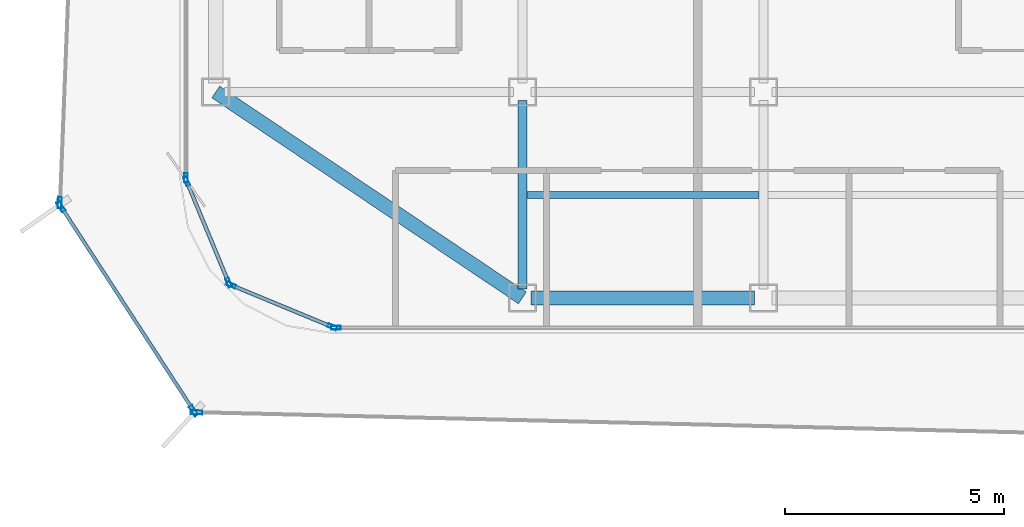
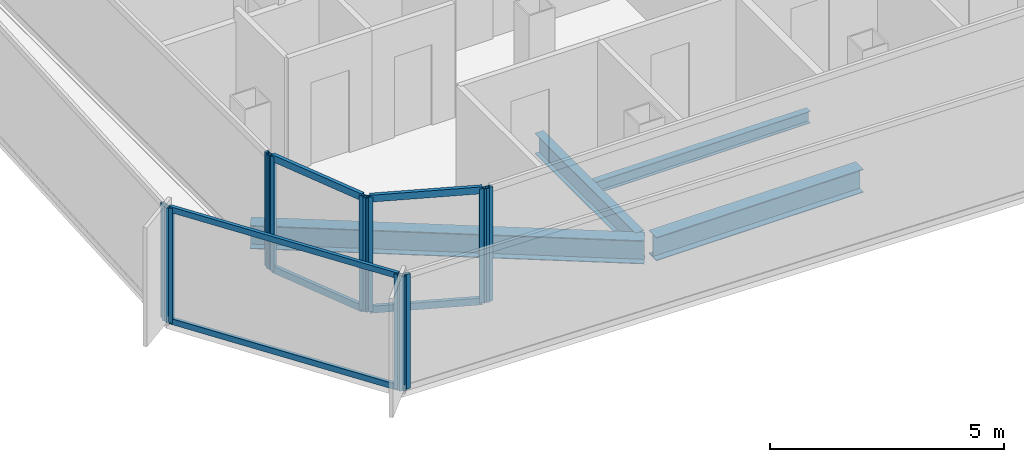
# One storey, part 2 of 15: 16 members, 4 beams, 7 elements without a shape of their own.
"""IFC4 building model written with IfcOpenShell, lengths in metres."""

from ifc_helpers import new_model, si_unit, direction, frame, origin, origin_2d, place, context, subcontext, project, spatial, hollow_rectangle, i_section, extrude, source, transform, mapped, material, layer, layer_set, material_profile, profile_set, type_object, element, aggregate, save


model = new_model("IFC4")

# Units and contexts
model_context = context("Model", 3, precision=1e-05, world=origin(), true_north=direction((0.0, 1.0)))
body_context = subcontext(model_context, "Body", "Model", "MODEL_VIEW")
ifc_project = project(units=[si_unit("LENGTHUNIT", "METRE"), si_unit("AREAUNIT", "SQUARE_METRE"), si_unit("VOLUMEUNIT", "CUBIC_METRE"), si_unit("PLANEANGLEUNIT", "RADIAN"), si_unit("MASSUNIT", "GRAM", prefix="KILO")], contexts=[model_context])

# Site, building, storey
site_placement = place(None, origin())
site = spatial("IfcSite", under=ifc_project, at=site_placement, CompositionType="ELEMENT")
building_placement = place(site_placement, origin())
building = spatial("IfcBuilding", under=site, at=building_placement, Name="Kolveth Station Tower", CompositionType="ELEMENT")
storey_placement = place(building_placement, frame((0.0, 0.0, 252.10009765625)))
storey = spatial("IfcBuildingStorey", under=building, at=storey_placement, Name="L72", CompositionType="ELEMENT", Elevation=252.10009765625)

# Beams
ifc_material_1 = material(Name="Steel S355", Category="steel")
ifc_material_profile_1 = material_profile(ifc_material_1, i_section(OverallWidth=0.323974609375, OverallDepth=0.611083984375, WebThickness=0.0126953125, FlangeThickness=0.01904296875, at=origin_2d()), Name="W610x155")
ifc_profile_set_1 = profile_set([ifc_material_profile_1], Name="Steel S355")
beam_type_1 = type_object("IfcBeamType", Name="Beam_SP2", PredefinedType="SPANDREL", material=ifc_profile_set_1)
shared_shape_1 = source(origin(), body_context, "Body", "SweptSolid", [
    extrude(i_section(OverallWidth=0.323974609375, OverallDepth=0.611083984375, WebThickness=0.0126953125, FlangeThickness=0.01904296875, at=origin_2d()), origin(), (0.0, 0.0, 1.0), 8.431396484375),
])
beam_1_placement = place(storey_placement, frame((6.0, 5.5, -0.525634765625), z_axis=(0.830223811004, -0.557430196206, 0.0), x_axis=(0.557430196206, 0.830223811004, 0.0)))
element("IfcBeam", 1, at=beam_1_placement, inside=storey, type_object=beam_type_1, Name="L72 Corner Edge Girder BM-L72-CNR-SW", PredefinedType="SPANDREL", context=body_context, shape_type="MappedRepresentation", body=[
    mapped(shared_shape_1, transform((0.0, 0.0, 0.0), x_axis=(1.0, 0.0, 0.0), y_axis=(0.0, 1.0, 0.0), z_axis=(0.0, 0.0, 1.0), scale=1.0)),
])
shared_shape_2 = source(origin(), body_context, "Body", "SweptSolid", [
    extrude(i_section(OverallWidth=0.323974609375, OverallDepth=0.611083984375, WebThickness=0.0126953125, FlangeThickness=0.01904296875, at=origin_2d()), origin(), (0.0, 0.0, 1.0), 5.10009765625),
])
beam_2_placement = place(storey_placement, frame((13.199951171875, 0.800048828125, -0.525634765625), z_axis=(1.0, 0.0, 0.0), x_axis=(0.0, 1.0, 0.0)))
element("IfcBeam", 2, at=beam_2_placement, inside=storey, type_object=beam_type_1, Name="L72 Perimeter Spandrel BM-L72-PS-1", PredefinedType="SPANDREL", context=body_context, shape_type="MappedRepresentation", body=[
    mapped(shared_shape_2, transform((0.0, 0.0, 0.0), x_axis=(1.0, 0.0, 0.0), y_axis=(0.0, 1.0, 0.0), z_axis=(0.0, 0.0, 1.0), scale=1.0)),
])
ifc_material_profile_2 = material_profile(ifc_material_1, i_section(OverallWidth=0.2099609375, OverallDepth=0.537109375, WebThickness=0.010986328125, FlangeThickness=0.017333984375, at=origin_2d()), Name="W530x101")
ifc_profile_set_2 = profile_set([ifc_material_profile_2], Name="Steel S355")
beam_type_2 = type_object("IfcBeamType", Name="Beam_B6", PredefinedType="BEAM", material=ifc_profile_set_2)
shared_shape_3 = source(origin(), body_context, "Body", "SweptSolid", [
    extrude(i_section(OverallWidth=0.2099609375, OverallDepth=0.537109375, WebThickness=0.010986328125, FlangeThickness=0.017333984375, at=origin_2d()), origin(), (0.0, 0.0, 1.0), 4.300048828125),
])
beam_3_placement = place(storey_placement, frame((13.0, 1.0, -0.488525390625), z_axis=(0.0, 1.0, 0.0), x_axis=(-1.0, 0.0, 0.0)))
element("IfcBeam", 3, at=beam_3_placement, inside=storey, type_object=beam_type_2, Name="L72 Primary Girder BM-L72-GX130-1", PredefinedType="BEAM", context=body_context, shape_type="MappedRepresentation", body=[
    mapped(shared_shape_3, transform((0.0, 0.0, 0.0), x_axis=(1.0, 0.0, 0.0), y_axis=(0.0, 1.0, 0.0), z_axis=(0.0, 0.0, 1.0), scale=1.0)),
])
ifc_material_profile_3 = material_profile(ifc_material_1, i_section(OverallWidth=0.1650390625, OverallDepth=0.31005859375, WebThickness=0.005859375, FlangeThickness=0.009765625, at=origin_2d()), Name="W310x39")
ifc_profile_set_3 = profile_set([ifc_material_profile_3], Name="Steel S355")
beam_type_3 = type_object("IfcBeamType", Name="Beam_J3", PredefinedType="JOIST", material=ifc_profile_set_3)
shared_shape_4 = source(origin(), body_context, "Body", "SweptSolid", [
    extrude(i_section(OverallWidth=0.1650390625, OverallDepth=0.31005859375, WebThickness=0.005859375, FlangeThickness=0.009765625, at=origin_2d()), origin(), (0.0, 0.0, 1.0), 5.2939453125),
])
beam_4_placement = place(storey_placement, frame((13.10302734375, 3.14990234375, -0.375), z_axis=(1.0, 0.0, 0.0), x_axis=(0.0, 1.0, 0.0)))
element("IfcBeam", 4, at=beam_4_placement, inside=storey, type_object=beam_type_3, Name="L72 Secondary Joist JST-L72-2-1", PredefinedType="JOIST", context=body_context, shape_type="MappedRepresentation", body=[
    mapped(shared_shape_4, transform((0.0, 0.0, 0.0), x_axis=(1.0, 0.0, 0.0), y_axis=(0.0, 1.0, 0.0), z_axis=(0.0, 0.0, 1.0), scale=1.0)),
])

# Curtain wall, member
ifc_material_2 = material(Name="Black anodized aluminium 6063-T6 and dark solar glass", Category="aluminium")
ifc_layer_1 = layer(ifc_material_2, 0.159912109375)
ifc_layer_set_1 = layer_set([ifc_layer_1], Name="Black anodized aluminium 6063-T6 and dark solar glass")
curtain_wall_type_1 = type_object("IfcCurtainWallType", Name="OUTER SKIN CW-OS", PredefinedType="NOTDEFINED", material=ifc_layer_set_1)
curtain_wall_1_placement = place(storey_placement, origin())
curtain_wall_1 = element("IfcCurtainWall", 5, at=curtain_wall_1_placement, inside=storey, type_object=curtain_wall_type_1, Name="L72 Outer Ventilated Skin Curtain Wall 6", PredefinedType="NOTDEFINED")
ifc_material_3 = material(Name="Black anodized aluminium 6063-T6", Category="aluminium")
ifc_material_profile_4 = material_profile(ifc_material_3, hollow_rectangle(XDim=0.090087890625, YDim=0.260009765625, WallThickness=0.0048828125, at=origin_2d()), Name="ALU-90x260x5")
ifc_profile_set_4 = profile_set([ifc_material_profile_4], Name="Black anodized aluminium 6063-T6")
member_type_1 = type_object("IfcMemberType", Name="FIN MULLION ML-OS", PredefinedType="MULLION", material=ifc_profile_set_4)
shared_shape_5 = source(origin(), body_context, "Body", "SweptSolid", [
    extrude(hollow_rectangle(XDim=0.090087890625, YDim=0.260009765625, WallThickness=0.0048828125, at=origin_2d()), origin(), (0.0, 0.0, 1.0), 2.989990234375),
])
member_1_placement = place(storey_placement, frame((2.4404296875, 2.97216796875, 0.0), z_axis=(0.0, 0.0, 1.0), x_axis=(0.999233555729, -0.039144617843, 0.0)))
member_1 = element("IfcMember", 6, at=member_1_placement, type_object=member_type_1, Name="CW-OS mullion 2", PredefinedType="MULLION", context=body_context, shape_type="MappedRepresentation", body=[
    mapped(shared_shape_5, transform((0.0, 0.0, 0.0), x_axis=(1.0, 0.0, 0.0), y_axis=(0.0, 1.0, 0.0), z_axis=(0.0, 0.0, 1.0), scale=1.0)),
])
aggregate(curtain_wall_1, [member_1])

# Curtain wall, members
curtain_wall_2_placement = place(storey_placement, origin())
curtain_wall_2 = element("IfcCurtainWall", 7, at=curtain_wall_2_placement, inside=storey, type_object=curtain_wall_type_1, Name="L72 Outer Ventilated Skin Curtain Wall 7", PredefinedType="NOTDEFINED")
member_2_placement = place(storey_placement, frame((2.463134765625, 2.889404296875, 0.0), z_axis=(0.0, 0.0, 1.0), x_axis=(0.838532934074, 0.544850913988, 0.0)))
member_2 = element("IfcMember", 8, at=member_2_placement, type_object=member_type_1, Name="CW-OS mullion 1", PredefinedType="MULLION", context=body_context, shape_type="MappedRepresentation", body=[
    mapped(shared_shape_5, transform((0.0, 0.0, 0.0), x_axis=(1.0, 0.0, 0.0), y_axis=(0.0, 1.0, 0.0), z_axis=(0.0, 0.0, 1.0), scale=1.0)),
])
member_3_placement = place(storey_placement, frame((5.493896484375, -1.774658203125, 0.0), z_axis=(0.0, 0.0, 1.0), x_axis=(0.838532934074, 0.544850913988, 0.0)))
member_3 = element("IfcMember", 9, at=member_3_placement, type_object=member_type_1, Name="CW-OS mullion 2", PredefinedType="MULLION", context=body_context, shape_type="MappedRepresentation", body=[
    mapped(shared_shape_5, transform((0.0, 0.0, 0.0), x_axis=(1.0, 0.0, 0.0), y_axis=(0.0, 1.0, 0.0), z_axis=(0.0, 0.0, 1.0), scale=1.0)),
])

# Curtain wall, member
curtain_wall_3_placement = place(storey_placement, origin())
curtain_wall_3 = element("IfcCurtainWall", 10, at=curtain_wall_3_placement, inside=storey, type_object=curtain_wall_type_1, Name="L72 Outer Ventilated Skin Curtain Wall 8", PredefinedType="NOTDEFINED")
member_4_placement = place(storey_placement, frame((5.563232421875, -1.813720703125, 0.0), z_axis=(0.0, 0.0, 1.0), x_axis=(0.024461755119, 0.999700766498, 0.0)))
member_4 = element("IfcMember", 11, at=member_4_placement, type_object=member_type_1, Name="CW-OS mullion 1", PredefinedType="MULLION", context=body_context, shape_type="MappedRepresentation", body=[
    mapped(shared_shape_5, transform((0.0, 0.0, 0.0), x_axis=(1.0, 0.0, 0.0), y_axis=(0.0, 1.0, 0.0), z_axis=(0.0, 0.0, 1.0), scale=1.0)),
])
aggregate(curtain_wall_3, [member_4])

ifc_material_4 = material(Name="Aluminium 6063-T6 and triple low-E dark glass", Category="aluminium")
ifc_layer_2 = layer(ifc_material_4, 0.199951171875)
ifc_layer_set_2 = layer_set([ifc_layer_2], Name="Aluminium 6063-T6 and triple low-E dark glass")
curtain_wall_type_2 = type_object("IfcCurtainWallType", Name="CurtainWall_CW-Z3", PredefinedType="NOTDEFINED", material=ifc_layer_set_2)
curtain_wall_4_placement = place(storey_placement, origin())
curtain_wall_4 = element("IfcCurtainWall", 12, at=curtain_wall_4_placement, inside=storey, type_object=curtain_wall_type_2, Name="L72 Inner Thermal Curtain Wall 9", PredefinedType="NOTDEFINED")
ifc_material_profile_5 = material_profile(ifc_material_3, hollow_rectangle(XDim=0.0849609375, YDim=0.215087890625, WallThickness=0.0048828125, at=origin_2d()), Name="ALU-85x215x5")
ifc_profile_set_5 = profile_set([ifc_material_profile_5], Name="Black anodized aluminium 6063-T6")
member_type_2 = type_object("IfcMemberType", Name="Mullion_ML3", PredefinedType="MULLION", material=ifc_profile_set_5)
shared_shape_6 = source(origin(), body_context, "Body", "SweptSolid", [
    extrude(hollow_rectangle(XDim=0.0849609375, YDim=0.215087890625, WallThickness=0.0048828125, at=origin_2d()), origin(), (0.0, 0.0, 1.0), 2.97998046875),
])
member_5_placement = place(storey_placement, frame((5.320068359375, 3.54248046875, 0.0), z_axis=(0.0, 0.0, 1.0), x_axis=(1.0, 0.0, 0.0)))
member_5 = element("IfcMember", 13, at=member_5_placement, type_object=member_type_2, Name="CW-Z3 mullion 2", PredefinedType="MULLION", context=body_context, shape_type="MappedRepresentation", body=[
    mapped(shared_shape_6, transform((0.0, 0.0, 0.0), x_axis=(1.0, 0.0, 0.0), y_axis=(0.0, 1.0, 0.0), z_axis=(0.0, 0.0, 1.0), scale=1.0)),
])
aggregate(curtain_wall_4, [member_5])

# Curtain wall, members
curtain_wall_5_placement = place(storey_placement, origin())
curtain_wall_5 = element("IfcCurtainWall", 14, at=curtain_wall_5_placement, inside=storey, type_object=curtain_wall_type_2, Name="L72 Inner Thermal Curtain Wall 10", PredefinedType="NOTDEFINED")
member_6_placement = place(storey_placement, frame((5.336181640625, 3.460693359375, 0.0), z_axis=(0.0, 0.0, 1.0), x_axis=(0.923875488975, 0.382693194181, 0.0)))
member_6 = element("IfcMember", 15, at=member_6_placement, type_object=member_type_2, Name="CW-Z3 mullion 1", PredefinedType="MULLION", context=body_context, shape_type="MappedRepresentation", body=[
    mapped(shared_shape_6, transform((0.0, 0.0, 0.0), x_axis=(1.0, 0.0, 0.0), y_axis=(0.0, 1.0, 0.0), z_axis=(0.0, 0.0, 1.0), scale=1.0)),
])
member_7_placement = place(storey_placement, frame((6.293701171875, 1.149169921875, 0.0), z_axis=(0.0, 0.0, 1.0), x_axis=(0.923875488975, 0.382693194181, 0.0)))
member_7 = element("IfcMember", 16, at=member_7_placement, type_object=member_type_2, Name="CW-Z3 mullion 2", PredefinedType="MULLION", context=body_context, shape_type="MappedRepresentation", body=[
    mapped(shared_shape_6, transform((0.0, 0.0, 0.0), x_axis=(1.0, 0.0, 0.0), y_axis=(0.0, 1.0, 0.0), z_axis=(0.0, 0.0, 1.0), scale=1.0)),
])

curtain_wall_6_placement = place(storey_placement, origin())
curtain_wall_6 = element("IfcCurtainWall", 17, at=curtain_wall_6_placement, inside=storey, type_object=curtain_wall_type_2, Name="L72 Inner Thermal Curtain Wall 11", PredefinedType="NOTDEFINED")
member_8_placement = place(storey_placement, frame((6.349365234375, 1.09375, 0.0), z_axis=(0.0, 0.0, 1.0), x_axis=(0.382693194181, 0.923875488975, 0.0)))
member_8 = element("IfcMember", 18, at=member_8_placement, type_object=member_type_2, Name="CW-Z3 mullion 1", PredefinedType="MULLION", context=body_context, shape_type="MappedRepresentation", body=[
    mapped(shared_shape_6, transform((0.0, 0.0, 0.0), x_axis=(1.0, 0.0, 0.0), y_axis=(0.0, 1.0, 0.0), z_axis=(0.0, 0.0, 1.0), scale=1.0)),
])
member_9_placement = place(storey_placement, frame((8.66064453125, 0.13623046875, 0.0), z_axis=(0.0, 0.0, 1.0), x_axis=(0.382693194181, 0.923875488975, 0.0)))
member_9 = element("IfcMember", 19, at=member_9_placement, type_object=member_type_2, Name="CW-Z3 mullion 2", PredefinedType="MULLION", context=body_context, shape_type="MappedRepresentation", body=[
    mapped(shared_shape_6, transform((0.0, 0.0, 0.0), x_axis=(1.0, 0.0, 0.0), y_axis=(0.0, 1.0, 0.0), z_axis=(0.0, 0.0, 1.0), scale=1.0)),
])

# Curtain wall, member
curtain_wall_7_placement = place(storey_placement, origin())
curtain_wall_7 = element("IfcCurtainWall", 20, at=curtain_wall_7_placement, inside=storey, type_object=curtain_wall_type_2, Name="L72 Inner Thermal Curtain Wall 12", PredefinedType="NOTDEFINED")
member_10_placement = place(storey_placement, frame((8.742431640625, 0.1201171875, 0.0), z_axis=(0.0, 0.0, 1.0), x_axis=(0.0, 1.0, 0.0)))
member_10 = element("IfcMember", 21, at=member_10_placement, type_object=member_type_2, Name="CW-Z3 mullion 1", PredefinedType="MULLION", context=body_context, shape_type="MappedRepresentation", body=[
    mapped(shared_shape_6, transform((0.0, 0.0, 0.0), x_axis=(1.0, 0.0, 0.0), y_axis=(0.0, 1.0, 0.0), z_axis=(0.0, 0.0, 1.0), scale=1.0)),
])
aggregate(curtain_wall_7, [member_10])

# Member
ifc_material_profile_6 = material_profile(ifc_material_3, hollow_rectangle(XDim=0.0849609375, YDim=0.179931640625, WallThickness=0.0048828125, at=origin_2d()), Name="ALU-85x180x5")
ifc_profile_set_6 = profile_set([ifc_material_profile_6], Name="Black anodized aluminium 6063-T6")
member_type_3 = type_object("IfcMemberType", Name="Transom_TR3", PredefinedType="USERDEFINED", material=ifc_profile_set_6)
shared_shape_7 = source(origin(), body_context, "Body", "SweptSolid", [
    extrude(hollow_rectangle(XDim=0.0849609375, YDim=0.179931640625, WallThickness=0.0048828125, at=origin_2d()), origin(), (0.0, 0.0, 1.0), 2.4169921875),
])
member_11_placement = place(storey_placement, frame((5.3525390625, 3.42138671875, 0.04248046875), z_axis=(0.382735401206, -0.9238580046, 0.0), x_axis=(0.9238580046, 0.382735401206, 0.0)))
member_11 = element("IfcMember", 22, at=member_11_placement, type_object=member_type_3, Name="CW-Z3 transom 1.1", ObjectType="TRANSOM", PredefinedType="USERDEFINED", context=body_context, shape_type="MappedRepresentation", body=[
    mapped(shared_shape_7, transform((0.0, 0.0, 0.0), x_axis=(1.0, 0.0, 0.0), y_axis=(0.0, 1.0, 0.0), z_axis=(0.0, 0.0, 1.0), scale=1.0)),
])

member_12_placement = place(storey_placement, frame((5.3525390625, 3.42138671875, 2.9375), z_axis=(0.382735401206, -0.9238580046, 0.0), x_axis=(0.9238580046, 0.382735401206, 0.0)))
member_12 = element("IfcMember", 23, at=member_12_placement, type_object=member_type_3, Name="CW-Z3 transom 1.2", ObjectType="TRANSOM", PredefinedType="USERDEFINED", context=body_context, shape_type="MappedRepresentation", body=[
    mapped(shared_shape_7, transform((0.0, 0.0, 0.0), x_axis=(1.0, 0.0, 0.0), y_axis=(0.0, 1.0, 0.0), z_axis=(0.0, 0.0, 1.0), scale=1.0)),
])

aggregate(curtain_wall_5, [member_6, member_7, member_11, member_12])

member_13_placement = place(storey_placement, frame((6.388427734375, 1.077392578125, 0.04248046875), z_axis=(0.923908507952, -0.382613471971, 0.0), x_axis=(0.382613471971, 0.923908507952, 0.0)))
member_13 = element("IfcMember", 24, at=member_13_placement, type_object=member_type_3, Name="CW-Z3 transom 1.1", ObjectType="TRANSOM", PredefinedType="USERDEFINED", context=body_context, shape_type="MappedRepresentation", body=[
    mapped(shared_shape_7, transform((0.0, 0.0, 0.0), x_axis=(1.0, 0.0, 0.0), y_axis=(0.0, 1.0, 0.0), z_axis=(0.0, 0.0, 1.0), scale=1.0)),
])

member_14_placement = place(storey_placement, frame((6.388427734375, 1.077392578125, 2.9375), z_axis=(0.923908507952, -0.382613471971, 0.0), x_axis=(0.382613471971, 0.923908507952, 0.0)))
member_14 = element("IfcMember", 25, at=member_14_placement, type_object=member_type_3, Name="CW-Z3 transom 1.2", ObjectType="TRANSOM", PredefinedType="USERDEFINED", context=body_context, shape_type="MappedRepresentation", body=[
    mapped(shared_shape_7, transform((0.0, 0.0, 0.0), x_axis=(1.0, 0.0, 0.0), y_axis=(0.0, 1.0, 0.0), z_axis=(0.0, 0.0, 1.0), scale=1.0)),
])

aggregate(curtain_wall_6, [member_8, member_9, member_13, member_14])

ifc_material_profile_7 = material_profile(ifc_material_3, hollow_rectangle(XDim=0.080078125, YDim=0.14990234375, WallThickness=0.0048828125, at=origin_2d()), Name="ALU-80x150x5")
ifc_profile_set_7 = profile_set([ifc_material_profile_7], Name="Black anodized aluminium 6063-T6")
member_type_4 = type_object("IfcMemberType", Name="Transom_TR-OS", PredefinedType="USERDEFINED", material=ifc_profile_set_7)
shared_shape_8 = source(origin(), body_context, "Body", "SweptSolid", [
    extrude(hollow_rectangle(XDim=0.080078125, YDim=0.14990234375, WallThickness=0.0048828125, at=origin_2d()), origin(), (0.0, 0.0, 1.0), 5.472412109375),
])
member_15_placement = place(storey_placement, frame((2.487548828125, 2.851806640625, 0.039794921875), z_axis=(0.544850350779, -0.838533300028, 0.0), x_axis=(0.838533300028, 0.544850350779, 0.0)))
member_15 = element("IfcMember", 26, at=member_15_placement, type_object=member_type_4, Name="CW-OS transom 1.1", ObjectType="TRANSOM", PredefinedType="USERDEFINED", context=body_context, shape_type="MappedRepresentation", body=[
    mapped(shared_shape_8, transform((0.0, 0.0, 0.0), x_axis=(1.0, 0.0, 0.0), y_axis=(0.0, 1.0, 0.0), z_axis=(0.0, 0.0, 1.0), scale=1.0)),
])

member_16_placement = place(storey_placement, frame((2.487548828125, 2.851806640625, 2.949951171875), z_axis=(0.544850350779, -0.838533300028, 0.0), x_axis=(0.838533300028, 0.544850350779, 0.0)))
member_16 = element("IfcMember", 27, at=member_16_placement, type_object=member_type_4, Name="CW-OS transom 1.2", ObjectType="TRANSOM", PredefinedType="USERDEFINED", context=body_context, shape_type="MappedRepresentation", body=[
    mapped(shared_shape_8, transform((0.0, 0.0, 0.0), x_axis=(1.0, 0.0, 0.0), y_axis=(0.0, 1.0, 0.0), z_axis=(0.0, 0.0, 1.0), scale=1.0)),
])

aggregate(curtain_wall_2, [member_2, member_3, member_15, member_16])

save(model, "model.ifc")
